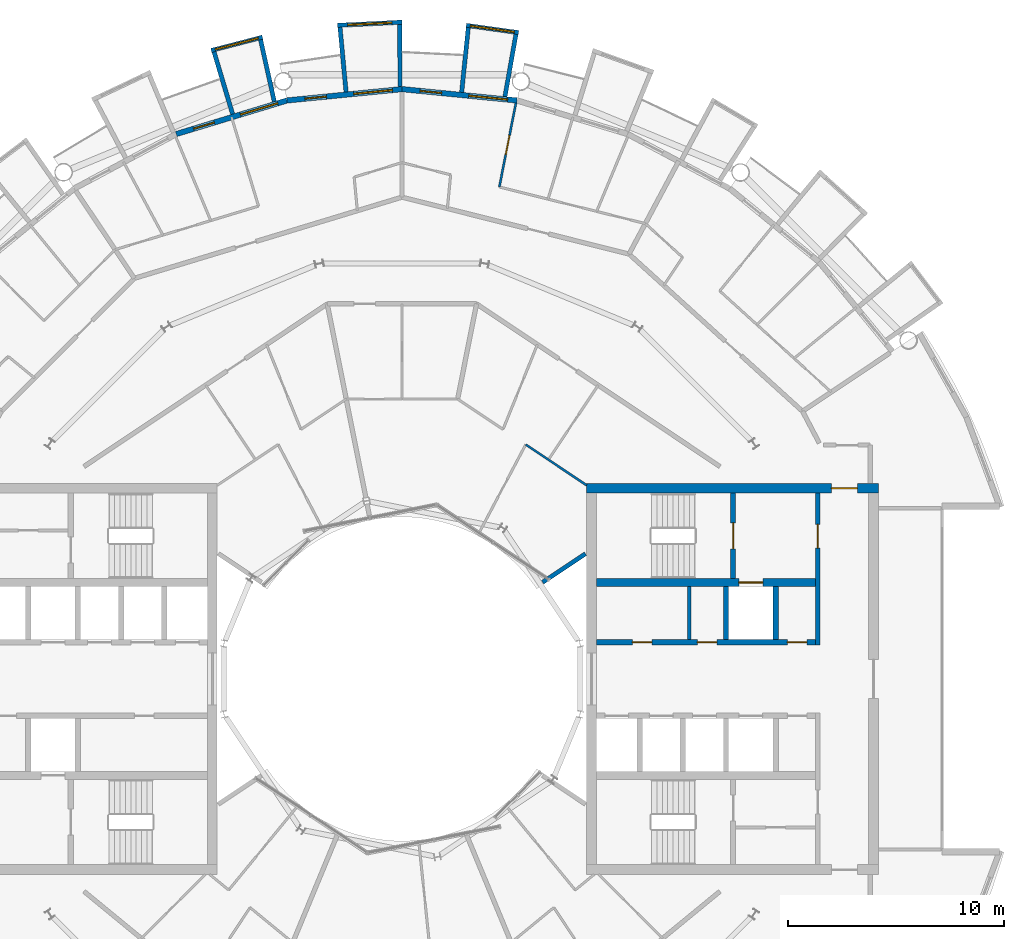
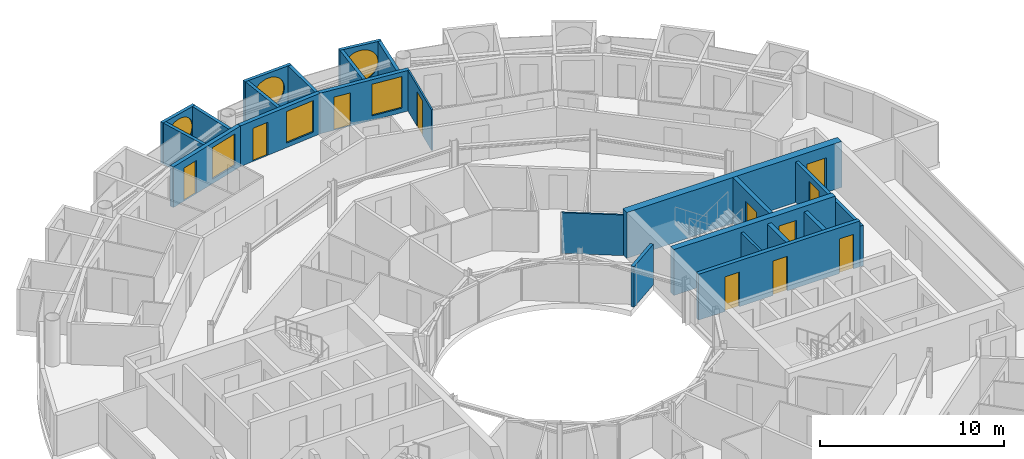
# One storey, part 22 of 27: 23 walls, 11 doors, 6 windows, 17 openings.
"""IFC4 building model written with IfcOpenShell, lengths in metres."""

import ifcopenshell
import ifcopenshell.guid

model = None  # the IFC model being written
_history = None  # IfcOwnerHistory: only IFC2X3 demands one
_inside = {}  # id of a spatial element -> (the spatial element, [elements in it])
_under = {}  # id of a project, library or spatial element -> (it, [spatial elements below it])
_declared = {}  # id of a project -> (the project, [libraries it declares])
_typed = {}  # id of a type object -> (the type object, [elements of that type])
_made_of = {}  # id of a material, layer set ... -> (it, [elements and type objects made of it])


def new_model(schema):
    """Start an empty IFC model of exactly this schema.

    Asked for "IFC4X3", IfcOpenShell would pick the latest addendum, in which some entities
    have other attributes; the version numbers below select the first issue.
    IFC2X3 requires an IfcOwnerHistory on every rooted entity: one is made here for all.
    """
    global model, _history
    if schema == "IFC4X3":
        model = ifcopenshell.file(schema_version=(4, 3, 0, 0))
    else:
        model = ifcopenshell.file(schema=schema)
    _inside.clear()
    _under.clear()
    _declared.clear()
    _typed.clear()
    _made_of.clear()
    _history = None
    if model.schema == "IFC2X3":
        org = make("IfcOrganization", Name="unknown")
        user = make(
            "IfcPersonAndOrganization",
            ThePerson=make("IfcPerson", FamilyName="unknown"),
            TheOrganization=org,
        )
        app = make(
            "IfcApplication",
            ApplicationDeveloper=org,
            Version="unknown",
            ApplicationFullName="unknown",
            ApplicationIdentifier="unknown",
        )
        _history = make(
            "IfcOwnerHistory",
            OwningUser=user,
            OwningApplication=app,
            ChangeAction="ADDED",
            CreationDate=0,
        )
    return model


def make(cls, **values):
    """One entity of the class cls with the attributes given. An attribute that is None is left unset."""
    return model.create_entity(
        cls, **{name: value for name, value in values.items() if value is not None}
    )


def rooted(cls, **values):
    """An entity with a GlobalId (a new one), such as an element, a storey or a relation."""
    return make(cls, GlobalId=ifcopenshell.guid.new(), OwnerHistory=_history, **values)


def si_unit(unit_type, name, prefix=None):
    """IfcSIUnit, for example si_unit("LENGTHUNIT", "METRE", prefix="MILLI")."""
    return make("IfcSIUnit", UnitType=unit_type, Prefix=prefix, Name=name)


def assignment(units):
    """IfcUnitAssignment: the units of a project."""
    return None if units is None else make("IfcUnitAssignment", Units=units)


def point(xyz):
    """IfcCartesianPoint."""
    return None if xyz is None else make("IfcCartesianPoint", Coordinates=xyz)


def direction(xyz):
    """IfcDirection."""
    return None if xyz is None else make("IfcDirection", DirectionRatios=xyz)


def frame(location, z_axis=None, x_axis=None):
    """IfcAxis2Placement3D, a coordinate frame: its origin and axes. An axis left out is left unset."""
    return make(
        "IfcAxis2Placement3D",
        Location=point(location),
        Axis=direction(z_axis),
        RefDirection=direction(x_axis),
    )


def frame_2d(location, x_axis=None):
    """IfcAxis2Placement2D, a coordinate frame in the plane: its origin and x axis."""
    return make(
        "IfcAxis2Placement2D", Location=point(location), RefDirection=direction(x_axis)
    )


def origin():
    """The frame at (0, 0, 0) with its axes left unset."""
    return frame((0.0, 0.0, 0.0))


def place(relative_to, where):
    """IfcLocalPlacement: puts the frame where relative to a parent placement (None: the world)."""
    return make(
        "IfcLocalPlacement", PlacementRelTo=relative_to, RelativePlacement=where
    )


def context(
    kind, dimensions, precision=None, world=None, true_north=None, identifier=None
):
    """IfcGeometricRepresentationContext, for example the 3D "Model" context."""
    return make(
        "IfcGeometricRepresentationContext",
        ContextIdentifier=identifier,
        ContextType=kind,
        CoordinateSpaceDimension=dimensions,
        Precision=precision,
        WorldCoordinateSystem=world,
        TrueNorth=true_north,
    )


def subcontext(parent, identifier, kind, view, scale=None):
    """IfcGeometricRepresentationSubContext, for example "Body" below "Model"."""
    return make(
        "IfcGeometricRepresentationSubContext",
        ContextIdentifier=identifier,
        ContextType=kind,
        ParentContext=parent,
        TargetScale=scale,
        TargetView=view,
    )


def project(units=None, contexts=None):
    """IfcProject with its units and contexts."""
    return rooted(
        "IfcProject",
        Name="project",
        RepresentationContexts=contexts,
        UnitsInContext=assignment(units),
    )


def spatial(cls, under=None, at=None, **own):
    """A site, building, storey or space (cls), placed at a placement, below another one or the project."""
    s = rooted(cls, ObjectPlacement=at, **own)
    if under is not None:
        _under.setdefault(under.id(), (under, []))[1].append(s)
    return s


def profile(cls, at=None, kind="AREA", **sizes):
    """A parametric profile (cls). Its sizes go by their IFC names, for example OverallWidth=200.0."""
    return make(cls, ProfileType=kind, Position=at, **sizes)


def rectangle(**sizes):
    """IfcRectangleProfileDef."""
    return profile("IfcRectangleProfileDef", **sizes)


def circle(**sizes):
    """IfcCircleProfileDef."""
    return profile("IfcCircleProfileDef", **sizes)


def extrude(swept, where, along, depth):
    """IfcExtrudedAreaSolid: the profile swept, set in the frame where, extruded along a direction by depth."""
    return make(
        "IfcExtrudedAreaSolid",
        SweptArea=swept,
        Position=where,
        ExtrudedDirection=direction(along),
        Depth=depth,
    )


def shape(context_of_items, identifier, shape_type, items):
    """IfcShapeRepresentation: the items that make up one representation, for example the "Body"."""
    return make(
        "IfcShapeRepresentation",
        ContextOfItems=context_of_items,
        RepresentationIdentifier=identifier,
        RepresentationType=shape_type,
        Items=items,
    )


def material(Name=None, Category=None):
    """IfcMaterial."""
    return make("IfcMaterial", Name=Name, Category=Category)


def layer(
    of_material, thickness, ventilated=None, Name=None, Category=None, Priority=None
):
    """IfcMaterialLayer: one layer of a wall or slab, of a material (None: an air gap)."""
    return make(
        "IfcMaterialLayer",
        Material=of_material,
        LayerThickness=thickness,
        IsVentilated=ventilated,
        Name=Name,
        Category=Category,
        Priority=Priority,
    )


def layer_set(layers, Name=None):
    """IfcMaterialLayerSet."""
    return make("IfcMaterialLayerSet", MaterialLayers=layers, LayerSetName=Name)


def made_of(thing, what):
    """Note that an element or type object is made of a material, layer set ...; save() writes the relation."""
    if what is not None:
        _made_of.setdefault(what.id(), (what, []))[1].append(thing)
    return thing


def type_object(cls, material=None, **own):
    """A type object (cls), such as IfcWallType, which elements share."""
    return made_of(rooted(cls, **own), material)


def element(
    cls,
    number,
    at=None,
    inside=None,
    cuts=None,
    type_object=None,
    material=None,
    context=None,
    identifier="Body",
    shape_type=None,
    held_by="IfcProductDefinitionShape",
    body=None,
    shapes=None,
    **own,
):
    """One element of the class cls, such as IfcWall. Its Tag is "e" and its number.

    at: its placement. inside: the storey or other place that contains it. cuts: it is an
    opening in that element (IfcRelVoidsElement). A single representation is given by context,
    identifier, shape_type and body (its items); several are given by shapes. held_by: the class
    of the entity that holds the representations. save() writes the other relations.
    """
    e = rooted(cls, Tag="e%d" % number, ObjectPlacement=at, **own)
    if body is not None:
        shapes = [shape(context, identifier, shape_type, body)]
    if shapes is not None:
        e.Representation = make(held_by, Representations=shapes)
    if inside is not None:
        _inside.setdefault(inside.id(), (inside, []))[1].append(e)
    if cuts is not None:
        rooted(
            "IfcRelVoidsElement", RelatingBuildingElement=cuts, RelatedOpeningElement=e
        )
    if type_object is not None:
        _typed.setdefault(type_object.id(), (type_object, []))[1].append(e)
    return made_of(e, material)


def fill(opening, filler):
    """IfcRelFillsElement: the door or window that sits in an opening."""
    return rooted(
        "IfcRelFillsElement",
        RelatingOpeningElement=opening,
        RelatedBuildingElement=filler,
    )


def aggregate(whole, parts):
    """IfcRelAggregates: a whole, such as a stair, and the parts it consists of."""
    return rooted("IfcRelAggregates", RelatingObject=whole, RelatedObjects=parts)


def save(model, path):
    """Write the relations noted so far, then the file.

    IfcRelAggregates (storeys below a building ...), IfcRelContainedInSpatialStructure (elements
    in a storey), IfcRelDefinesByType, IfcRelAssociatesMaterial and IfcRelDeclares: one each for
    every whole, place, type object, material and project.
    """
    for whole, parts in _under.values():
        aggregate(whole, parts)
    for where, things in _inside.values():
        rooted(
            "IfcRelContainedInSpatialStructure",
            RelatedElements=things,
            RelatingStructure=where,
        )
    for kind, things in _typed.values():
        rooted("IfcRelDefinesByType", RelatedObjects=things, RelatingType=kind)
    for what, things in _made_of.values():
        rooted("IfcRelAssociatesMaterial", RelatedObjects=things, RelatingMaterial=what)
    for by, libraries in _declared.values():
        rooted("IfcRelDeclares", RelatingContext=by, RelatedDefinitions=libraries)
    model.write(path)


model = new_model("IFC4")

# Units and contexts
model_context = context("Model", 3, precision=1e-05, world=origin(), true_north=direction((0.0, 1.0)))
body_context = subcontext(model_context, "Body", "Model", "MODEL_VIEW")
ifc_project = project(units=[si_unit("LENGTHUNIT", "METRE"), si_unit("AREAUNIT", "SQUARE_METRE"), si_unit("VOLUMEUNIT", "CUBIC_METRE"), si_unit("PLANEANGLEUNIT", "RADIAN"), si_unit("MASSUNIT", "GRAM", prefix="KILO")], contexts=[model_context])

# Site, building, storey
site_placement = place(None, origin())
site = spatial("IfcSite", under=ifc_project, at=site_placement, CompositionType="ELEMENT")
building_placement = place(site_placement, origin())
building = spatial("IfcBuilding", under=site, at=building_placement, Name="Maasbend Ring Residences", CompositionType="ELEMENT")
storey_placement = place(building_placement, frame((0.0, 0.0, 199.35009765625)))
storey = spatial("IfcBuildingStorey", under=building, at=storey_placement, Name="L57", CompositionType="ELEMENT", Elevation=199.35009765625)

# Wall, openings, doors
ifc_material_1 = material(Name="Concrete C50/60", Category="concrete")
ifc_layer_1 = layer(ifc_material_1, 0.25)
ifc_layer_set_1 = layer_set([ifc_layer_1], Name="Concrete C50/60")
wall_type_1 = type_object("IfcWallType", Name="CORE WALL 250 C50/60", PredefinedType="SHEAR", material=ifc_layer_set_1)
wall_1_placement = place(storey_placement, frame((9.0, 1.699951171875, 0.0), z_axis=(0.0, 0.0, 1.0), x_axis=(1.0, 0.0, 0.0)))
wall_1 = element("IfcWall", 1, at=wall_1_placement, inside=storey, type_object=wall_type_1, Name="L57 core E wall SPN", PredefinedType="SHEAR", context=body_context, shape_type="SweptSolid", body=[
    extrude(rectangle(XDim=10.14990234375, YDim=0.25, at=frame_2d((5.074951171875, 0.0))), origin(), (0.0, 0.0, 1.0), 3.0498046875),
])
opening_1_placement = place(wall_1_placement, frame((1.66259765625, 0.0, 0.0)))
opening_1 = element("IfcOpeningElement", 2, at=opening_1_placement, cuts=wall_1, Name="Opening D-E5706", PredefinedType="OPENING", context=body_context, shape_type="SweptSolid", body=[
    extrude(rectangle(XDim=0.89990234375, YDim=2.300048828125, at=frame_2d((0.449951171875, 1.14990234375))), frame((0.0, 0.135009765625, 0.0), z_axis=(0.0, -1.0, 0.0), x_axis=(1.0, 0.0, 0.0)), (0.0, 0.0, 1.0), 0.27001953125),
])
opening_2_placement = place(wall_1_placement, frame((4.675048828125, 0.0, 0.0)))
opening_2 = element("IfcOpeningElement", 3, at=opening_2_placement, cuts=wall_1, Name="Opening D-E5707", PredefinedType="OPENING", context=body_context, shape_type="SweptSolid", body=[
    extrude(rectangle(XDim=0.89990234375, YDim=2.300048828125, at=frame_2d((0.449951171875, 1.14990234375))), frame((0.0, 0.135009765625, 0.0), z_axis=(0.0, -1.0, 0.0), x_axis=(1.0, 0.0, 0.0)), (0.0, 0.0, 1.0), 0.27001953125),
])
opening_3_placement = place(wall_1_placement, frame((8.83740234375, 0.0, 0.0)))
opening_3 = element("IfcOpeningElement", 4, at=opening_3_placement, cuts=wall_1, Name="Opening D-E5708", PredefinedType="OPENING", context=body_context, shape_type="SweptSolid", body=[
    extrude(rectangle(XDim=0.89990234375, YDim=2.300048828125, at=frame_2d((0.449951171875, 1.14990234375))), frame((0.0, 0.135009765625, 0.0), z_axis=(0.0, -1.0, 0.0), x_axis=(1.0, 0.0, 0.0)), (0.0, 0.0, 1.0), 0.27001953125),
])
ifc_material_2 = material(Name="Steel, powder coated", Category="steel")
door_type_1 = type_object("IfcDoorType", Name="ROOM DOOR 900 X 2300 FD30S", OperationType="NOTDEFINED", PredefinedType="DOOR", material=ifc_material_2)
door_1_placement = place(opening_1_placement, origin())
door_1 = element("IfcDoor", 5, at=door_1_placement, inside=storey, type_object=door_type_1, Name="Room door L57", OperationType="SINGLE_SWING_RIGHT", OverallHeight=2.300048828125, OverallWidth=0.89990234375, PredefinedType="DOOR", context=body_context, shape_type="SweptSolid", body=[
    extrude(rectangle(XDim=0.89990234375, YDim=2.300048828125, at=frame_2d((0.449951171875, 1.14990234375))), frame((0.0, 0.02490234375, 0.0), z_axis=(0.0, -1.0, 0.0), x_axis=(1.0, 0.0, 0.0)), (0.0, 0.0, 1.0), 0.050048828125),
])
fill(opening_1, door_1)
door_2_placement = place(opening_2_placement, origin())
door_2 = element("IfcDoor", 6, at=door_2_placement, inside=storey, type_object=door_type_1, Name="Room door L57", OperationType="SINGLE_SWING_LEFT", OverallHeight=2.300048828125, OverallWidth=0.89990234375, PredefinedType="DOOR", context=body_context, shape_type="SweptSolid", body=[
    extrude(rectangle(XDim=0.89990234375, YDim=2.300048828125, at=frame_2d((0.449951171875, 1.14990234375))), frame((0.0, 0.02490234375, 0.0), z_axis=(0.0, -1.0, 0.0), x_axis=(1.0, 0.0, 0.0)), (0.0, 0.0, 1.0), 0.050048828125),
])
fill(opening_2, door_2)
door_3_placement = place(opening_3_placement, origin())
door_3 = element("IfcDoor", 7, at=door_3_placement, inside=storey, type_object=door_type_1, Name="Room door L57", OperationType="SINGLE_SWING_LEFT", OverallHeight=2.300048828125, OverallWidth=0.89990234375, PredefinedType="DOOR", context=body_context, shape_type="SweptSolid", body=[
    extrude(rectangle(XDim=0.89990234375, YDim=2.300048828125, at=frame_2d((0.449951171875, 1.14990234375))), frame((0.0, 0.02490234375, 0.0), z_axis=(0.0, -1.0, 0.0), x_axis=(1.0, 0.0, 0.0)), (0.0, 0.0, 1.0), 0.050048828125),
])
fill(opening_3, door_3)

# Wall, opening, door
wall_2_placement = place(storey_placement, frame((15.324951171875, 4.64990234375, 0.0), z_axis=(0.0, 0.0, 1.0), x_axis=(0.0, 1.0, 0.0)))
wall_2 = element("IfcWall", 8, at=wall_2_placement, inside=storey, type_object=wall_type_1, Name="L57 core E wall STEN", PredefinedType="SHEAR", context=body_context, shape_type="SweptSolid", body=[
    extrude(rectangle(XDim=3.9501953125, YDim=0.25, at=frame_2d((1.97509765625, 0.0))), origin(), (0.0, 0.0, 1.0), 3.0498046875),
])
opening_4_placement = place(wall_2_placement, frame((1.375, 0.0, 0.0)))
opening_4 = element("IfcOpeningElement", 9, at=opening_4_placement, cuts=wall_2, Name="Opening D-E5711", PredefinedType="OPENING", context=body_context, shape_type="SweptSolid", body=[
    extrude(rectangle(XDim=1.199951171875, YDim=2.300048828125, at=frame_2d((0.60009765625, 1.14990234375))), frame((0.0, 0.135009765625, 0.0), z_axis=(0.0, -1.0, 0.0), x_axis=(1.0, 0.0, 0.0)), (0.0, 0.0, 1.0), 0.27001953125),
])
ifc_material_3 = material(Name="Steel, powder coated", Category="steel")
door_type_2 = type_object("IfcDoorType", Name="STAIR DOOR 1200 X 2300 FD60", OperationType="NOTDEFINED", PredefinedType="DOOR", material=ifc_material_3)
door_4_placement = place(opening_4_placement, origin())
door_4 = element("IfcDoor", 10, at=door_4_placement, inside=storey, type_object=door_type_2, Name="Stair door ST-E L57", OperationType="SINGLE_SWING_LEFT", OverallHeight=2.300048828125, OverallWidth=1.199951171875, PredefinedType="DOOR", context=body_context, shape_type="SweptSolid", body=[
    extrude(rectangle(XDim=1.199951171875, YDim=2.300048828125, at=frame_2d((0.60009765625, 1.14990234375))), frame((0.0, 0.02490234375, 0.0), z_axis=(0.0, -1.0, 0.0), x_axis=(1.0, 0.0, 0.0)), (0.0, 0.0, 1.0), 0.050048828125),
])
fill(opening_4, door_4)

ifc_material_4 = material(Name="Concrete C50/60", Category="concrete")
ifc_layer_2 = layer(ifc_material_4, 0.375)
ifc_layer_set_2 = layer_set([ifc_layer_2], Name="Concrete C50/60")
wall_type_2 = type_object("IfcWallType", Name="CORE WALL 375 C50/60", PredefinedType="SHEAR", material=ifc_layer_set_2)
wall_3_placement = place(storey_placement, frame((9.0, 4.46240234375, 0.0), z_axis=(0.0, 0.0, 1.0), x_axis=(1.0, 0.0, 0.0)))
wall_3 = element("IfcWall", 11, at=wall_3_placement, inside=storey, type_object=wall_type_2, Name="L57 core E wall BN", PredefinedType="SHEAR", context=body_context, shape_type="SweptSolid", body=[
    extrude(rectangle(XDim=10.14990234375, YDim=0.375, at=frame_2d((5.074951171875, 0.0))), origin(), (0.0, 0.0, 1.0), 3.0498046875),
])
opening_5_placement = place(wall_3_placement, frame((6.60009765625, 0.0, 0.0)))
opening_5 = element("IfcOpeningElement", 12, at=opening_5_placement, cuts=wall_3, Name="Opening LD-E5701", PredefinedType="OPENING", context=body_context, shape_type="SweptSolid", body=[
    extrude(rectangle(XDim=1.10009765625, YDim=2.300048828125, at=frame_2d((0.550048828125, 1.14990234375))), frame((0.0, 0.197509765625, 0.0), z_axis=(0.0, -1.0, 0.0), x_axis=(1.0, 0.0, 0.0)), (0.0, 0.0, 1.0), 0.39501953125),
])
ifc_material_5 = material(Name="Stainless steel 316", Category="steel")
door_type_3 = type_object("IfcDoorType", Name="LANDING DOOR 1100 X 2300 FD60", OperationType="DOUBLE_DOOR_SLIDING", PredefinedType="DOOR", material=ifc_material_5)
door_5_placement = place(opening_5_placement, origin())
door_5 = element("IfcDoor", 13, at=door_5_placement, inside=storey, type_object=door_type_3, Name="Landing door FF-E L57", OperationType="DOUBLE_DOOR_SLIDING", OverallHeight=2.300048828125, OverallWidth=1.10009765625, PredefinedType="DOOR", context=body_context, shape_type="SweptSolid", body=[
    extrude(rectangle(XDim=1.10009765625, YDim=2.300048828125, at=frame_2d((0.550048828125, 1.14990234375))), frame((0.0, 0.02490234375, 0.0), z_axis=(0.0, -1.0, 0.0), x_axis=(1.0, 0.0, 0.0)), (0.0, 0.0, 1.0), 0.050048828125),
])
fill(opening_5, door_5)

ifc_material_6 = material(Name="Concrete C50/60", Category="concrete")
ifc_layer_3 = layer(ifc_material_6, 0.449951171875)
ifc_layer_set_3 = layer_set([ifc_layer_3], Name="Concrete C50/60")
wall_type_3 = type_object("IfcWallType", Name="CORE WALL 450 C50/60", PredefinedType="SHEAR", material=ifc_layer_set_3)
wall_4_placement = place(storey_placement, frame((22.050048828125, 8.824951171875, 0.0), z_axis=(0.0, 0.0, 1.0), x_axis=(-1.0, 0.0, 0.0)))
wall_4 = element("IfcWall", 14, at=wall_4_placement, inside=storey, type_object=wall_type_3, Name="L57 core E wall PN", PredefinedType="SHEAR", context=body_context, shape_type="SweptSolid", body=[
    extrude(rectangle(XDim=13.5, YDim=0.449951171875, at=frame_2d((6.75, 0.0))), origin(), (0.0, 0.0, 1.0), 3.0498046875),
])
opening_6_placement = place(wall_4_placement, frame((0.97509765625, 0.0, 0.0)))
opening_6 = element("IfcOpeningElement", 15, at=opening_6_placement, cuts=wall_4, Name="Opening D-E5715", PredefinedType="OPENING", context=body_context, shape_type="SweptSolid", body=[
    extrude(rectangle(XDim=1.199951171875, YDim=2.300048828125, at=frame_2d((0.60009765625, 1.14990234375))), frame((0.0, 0.23486328125, 0.0), z_axis=(0.0, -1.0, 0.0), x_axis=(1.0, 0.0, 0.0)), (0.0, 0.0, 1.0), 0.469970703125),
])
ifc_material_7 = material(Name="Steel, powder coated", Category="steel")
door_type_4 = type_object("IfcDoorType", Name="CORRIDOR DOOR 1200 X 2300 FD30S", OperationType="NOTDEFINED", PredefinedType="DOOR", material=ifc_material_7)
door_6_placement = place(opening_6_placement, origin())
door_6 = element("IfcDoor", 16, at=door_6_placement, inside=storey, type_object=door_type_4, Name="Corridor door L57", OperationType="SINGLE_SWING_RIGHT", OverallHeight=2.300048828125, OverallWidth=1.199951171875, PredefinedType="DOOR", context=body_context, shape_type="SweptSolid", body=[
    extrude(rectangle(XDim=1.199951171875, YDim=2.300048828125, at=frame_2d((0.60009765625, 1.14990234375))), frame((0.0, 0.02490234375, 0.0), z_axis=(0.0, -1.0, 0.0), x_axis=(1.0, 0.0, 0.0)), (0.0, 0.0, 1.0), 0.050048828125),
])
fill(opening_6, door_6)

# Wall, opening, window
ifc_material_8 = material(Name="Pale anodised aluminium panel", Category="aluminium")
ifc_layer_4 = layer(ifc_material_8, 0.199951171875)
ifc_layer_set_4 = layer_set([ifc_layer_4], Name="EW-BOX")
wall_type_4 = type_object("IfcWallType", Name="EW-BOX", PredefinedType="SOLIDWALL", material=ifc_layer_set_4)
wall_5_placement = place(storey_placement, frame((5.39794921875, 29.9169921875, -0.030029296875), z_axis=(0.0, 0.0, 1.0), x_axis=(-0.990462016113, 0.137786046596, 0.0)))
wall_5 = element("IfcWall", 17, at=wall_5_placement, inside=storey, type_object=wall_type_4, Name="Box front N09", PredefinedType="SOLIDWALL", context=body_context, shape_type="SweptSolid", body=[
    extrude(rectangle(XDim=2.4453125, YDim=0.199951171875, at=frame_2d((1.22265625, 0.0))), origin(), (0.0, 0.0, 1.0), 2.72998046875),
])
opening_7_placement = place(wall_5_placement, frame((0.182861328125, 0.0, 0.330078125)))
opening_7 = element("IfcOpeningElement", 18, at=opening_7_placement, cuts=wall_5, Name="Opening W-RD", PredefinedType="OPENING", context=body_context, shape_type="SweptSolid", body=[
    extrude(circle(Radius=1.0400390625, at=frame_2d((1.0400390625, 1.0400390625))), frame((0.0, 0.10986328125, 0.0), z_axis=(0.0, -1.0, 0.0), x_axis=(1.0, 0.0, 0.0)), (0.0, 0.0, 1.0), 0.219970703125),
])
ifc_material_9 = material(Name="Aluminium and clear glass", Category="aluminium")
window_type_1 = type_object("IfcWindowType", Name="W-RD", PartitioningType="SINGLE_PANEL", PredefinedType="WINDOW", material=ifc_material_9)
window_1_placement = place(opening_7_placement, origin())
window_1 = element("IfcWindow", 19, at=window_1_placement, inside=storey, type_object=window_type_1, Name="Round window N09", OverallHeight=2.080078125, OverallWidth=2.080078125, PartitioningType="SINGLE_PANEL", PredefinedType="WINDOW", context=body_context, shape_type="SweptSolid", body=[
    extrude(circle(Radius=1.0400390625, at=frame_2d((1.0400390625, 1.0400390625))), frame((0.0, 0.030029296875, 0.0), z_axis=(0.0, -1.0, 0.0), x_axis=(1.0, 0.0, 0.0)), (0.0, 0.0, 1.0), 0.06005859375),
])
fill(opening_7, window_1)

# Walls
wall_6_placement = place(storey_placement, frame((4.76904296875, 26.9560546875, -0.030029296875), z_axis=(0.0, 0.0, 1.0), x_axis=(0.174056778901, 0.984735618183, 0.0)))
element("IfcWall", 20, at=wall_6_placement, inside=storey, type_object=wall_type_4, Name="Box side wall N09 left", PredefinedType="SOLIDWALL", context=body_context, shape_type="SweptSolid", body=[
    extrude(rectangle(XDim=2.924560546875, YDim=0.199951171875, at=frame_2d((1.46240234375, 0.0))), origin(), (0.0, 0.0, 1.0), 2.72998046875),
])
wall_7_placement = place(storey_placement, frame((2.763916015625, 27.153076171875, -0.030029296875), z_axis=(0.0, 0.0, 1.0), x_axis=(0.101505487237, 0.994834979311, 0.0)))
element("IfcWall", 21, at=wall_7_placement, inside=storey, type_object=wall_type_4, Name="Box side wall N09 right", PredefinedType="SOLIDWALL", context=body_context, shape_type="SweptSolid", body=[
    extrude(rectangle(XDim=3.006591796875, YDim=0.199951171875, at=frame_2d((1.50341796875, 0.0))), origin(), (0.0, 0.0, 1.0), 2.72998046875),
])

# Wall, opening, window
wall_8_placement = place(storey_placement, frame((0.0048828125, 30.39990234375, -0.030029296875), z_axis=(0.0, 0.0, 1.0), x_axis=(-0.998794083011, -0.049095618353, 0.0)))
wall_8 = element("IfcWall", 22, at=wall_8_placement, inside=storey, type_object=wall_type_4, Name="Box front N11", PredefinedType="SOLIDWALL", context=body_context, shape_type="SweptSolid", body=[
    extrude(rectangle(XDim=2.99365234375, YDim=0.199951171875, at=frame_2d((1.496826171875, 0.0))), origin(), (0.0, 0.0, 1.0), 2.72998046875),
])
opening_8_placement = place(wall_8_placement, frame((0.45654296875, 0.0, 0.330078125)))
opening_8 = element("IfcOpeningElement", 23, at=opening_8_placement, cuts=wall_8, Name="Opening W-RD", PredefinedType="OPENING", context=body_context, shape_type="SweptSolid", body=[
    extrude(circle(Radius=1.0400390625, at=frame_2d((1.0400390625, 1.0400390625))), frame((0.0, 0.10986328125, 0.0), z_axis=(0.0, -1.0, 0.0), x_axis=(1.0, 0.0, 0.0)), (0.0, 0.0, 1.0), 0.219970703125),
])
window_2_placement = place(opening_8_placement, origin())
window_2 = element("IfcWindow", 24, at=window_2_placement, inside=storey, type_object=window_type_1, Name="Round window N11", OverallHeight=2.080078125, OverallWidth=2.080078125, PartitioningType="SINGLE_PANEL", PredefinedType="WINDOW", context=body_context, shape_type="SweptSolid", body=[
    extrude(circle(Radius=1.0400390625, at=frame_2d((1.0400390625, 1.0400390625))), frame((0.0, 0.030029296875, 0.0), z_axis=(0.0, -1.0, 0.0), x_axis=(1.0, 0.0, 0.0)), (0.0, 0.0, 1.0), 0.06005859375),
])
fill(opening_8, window_2)

# Walls
wall_9_placement = place(storey_placement, frame((-0.090087890625, 27.4169921875, -0.030029296875), z_axis=(0.0, 0.0, 1.0), x_axis=(-0.00347308367, 0.999993968827, 0.0)))
element("IfcWall", 25, at=wall_9_placement, inside=storey, type_object=wall_type_4, Name="Box side wall N11 left", PredefinedType="SOLIDWALL", context=body_context, shape_type="SweptSolid", body=[
    extrude(rectangle(XDim=2.882080078125, YDim=0.199951171875, at=frame_2d((1.44091796875, 0.0))), origin(), (0.0, 0.0, 1.0), 2.72998046875),
])
wall_10_placement = place(storey_placement, frame((-2.5859375, 27.1708984375, -0.030029296875), z_axis=(0.0, 0.0, 1.0), x_axis=(-0.094548432284, 0.995520262954, 0.0)))
element("IfcWall", 26, at=wall_10_placement, inside=storey, type_object=wall_type_4, Name="Box side wall N11 right", PredefinedType="SOLIDWALL", context=body_context, shape_type="SweptSolid", body=[
    extrude(rectangle(XDim=3.005615234375, YDim=0.199951171875, at=frame_2d((1.5029296875, 0.0))), origin(), (0.0, 0.0, 1.0), 2.72998046875),
])

# Wall, opening, window
wall_11_placement = place(storey_placement, frame((-6.4609375, 29.705078125, -0.030029296875), z_axis=(0.0, 0.0, 1.0), x_axis=(-0.96789536872, -0.251353446784, 0.0)))
wall_11 = element("IfcWall", 27, at=wall_11_placement, inside=storey, type_object=wall_type_4, Name="Box front N13", PredefinedType="SOLIDWALL", context=body_context, shape_type="SweptSolid", body=[
    extrude(rectangle(XDim=2.44677734375, YDim=0.199951171875, at=frame_2d((1.223388671875, 0.0))), origin(), (0.0, 0.0, 1.0), 2.72998046875),
])
opening_9_placement = place(wall_11_placement, frame((0.182861328125, 0.0, 0.330078125)))
opening_9 = element("IfcOpeningElement", 28, at=opening_9_placement, cuts=wall_11, Name="Opening W-RD", PredefinedType="OPENING", context=body_context, shape_type="SweptSolid", body=[
    extrude(circle(Radius=1.0400390625, at=frame_2d((1.0400390625, 1.0400390625))), frame((0.0, 0.10986328125, 0.0), z_axis=(0.0, -1.0, 0.0), x_axis=(1.0, 0.0, 0.0)), (0.0, 0.0, 1.0), 0.219970703125),
])
window_3_placement = place(opening_9_placement, origin())
window_3 = element("IfcWindow", 29, at=window_3_placement, inside=storey, type_object=window_type_1, Name="Round window N13", OverallHeight=2.080078125, OverallWidth=2.080078125, PartitioningType="SINGLE_PANEL", PredefinedType="WINDOW", context=body_context, shape_type="SweptSolid", body=[
    extrude(circle(Radius=1.0400390625, at=frame_2d((1.0400390625, 1.0400390625))), frame((0.0, 0.030029296875, 0.0), z_axis=(0.0, -1.0, 0.0), x_axis=(1.0, 0.0, 0.0)), (0.0, 0.0, 1.0), 0.06005859375),
])
fill(opening_9, window_3)

# Walls
wall_12_placement = place(storey_placement, frame((-5.908935546875, 26.72900390625, -0.030029296875), z_axis=(0.0, 0.0, 1.0), x_axis=(-0.216409053917, 0.976302781612, 0.0)))
element("IfcWall", 30, at=wall_12_placement, inside=storey, type_object=wall_type_4, Name="Box side wall N13 left", PredefinedType="SOLIDWALL", context=body_context, shape_type="SweptSolid", body=[
    extrude(rectangle(XDim=2.92529296875, YDim=0.199951171875, at=frame_2d((1.462646484375, 0.0))), origin(), (0.0, 0.0, 1.0), 2.72998046875),
])
wall_13_placement = place(storey_placement, frame((-7.8369140625, 26.14404296875, -0.030029296875), z_axis=(0.0, 0.0, 1.0), x_axis=(-0.287064767992, 0.957911174889, 0.0)))
element("IfcWall", 31, at=wall_13_placement, inside=storey, type_object=wall_type_4, Name="Box side wall N13 right", PredefinedType="SOLIDWALL", context=body_context, shape_type="SweptSolid", body=[
    extrude(rectangle(XDim=3.00634765625, YDim=0.199951171875, at=frame_2d((1.503173828125, 0.0))), origin(), (0.0, 0.0, 1.0), 2.72998046875),
])

# Wall, openings, door, window
ifc_material_10 = material(Name="Aluminium clad insulated panel", Category="aluminium")
ifc_layer_5 = layer(ifc_material_10, 0.25)
ifc_layer_set_5 = layer_set([ifc_layer_5], Name="EW-GL")
wall_type_5 = type_object("IfcWallType", Name="EW-GL", PredefinedType="SOLIDWALL", material=ifc_layer_set_5)
wall_14_placement = place(storey_placement, frame((5.325927734375, 26.77490234375, 0.0), z_axis=(0.0, 0.0, 1.0), x_axis=(-0.995173996315, 0.098126026407, 0.0)))
wall_14 = element("IfcWall", 32, at=wall_14_placement, inside=storey, type_object=wall_type_5, Name="External wall N05", PredefinedType="SOLIDWALL", context=body_context, shape_type="SweptSolid", body=[
    extrude(rectangle(XDim=5.351806640625, YDim=0.25, at=frame_2d((2.67578125, 0.0))), origin(), (0.0, 0.0, 1.0), 2.699951171875),
])
opening_10_placement = place(wall_14_placement, frame((0.441162109375, 0.0, 0.300048828125)))
opening_10 = element("IfcOpeningElement", 33, at=opening_10_placement, cuts=wall_14, Name="Opening W-BX", PredefinedType="OPENING", context=body_context, shape_type="SweptSolid", body=[
    extrude(rectangle(XDim=1.800048828125, YDim=2.10009765625, at=frame_2d((0.89990234375, 1.050048828125))), frame((0.0, 0.135009765625, 0.0), z_axis=(0.0, -1.0, 0.0), x_axis=(1.0, 0.0, 0.0)), (0.0, 0.0, 1.0), 0.27001953125),
])
opening_11_placement = place(wall_14_placement, frame((3.510498046875, 0.0, 0.0)))
opening_11 = element("IfcOpeningElement", 34, at=opening_11_placement, cuts=wall_14, Name="Opening D-LG", PredefinedType="OPENING", context=body_context, shape_type="SweptSolid", body=[
    extrude(rectangle(XDim=1.0, YDim=2.199951171875, at=frame_2d((0.5, 1.10009765625))), frame((0.0, 0.135009765625, 0.0), z_axis=(0.0, -1.0, 0.0), x_axis=(1.0, 0.0, 0.0)), (0.0, 0.0, 1.0), 0.27001953125),
])
ifc_material_11 = material(Name="Aluminium and clear glass", Category="aluminium")
door_type_5 = type_object("IfcDoorType", Name="D-LG", OperationType="SINGLE_SWING_LEFT", PredefinedType="DOOR", material=ifc_material_11)
door_7_placement = place(opening_11_placement, origin())
door_7 = element("IfcDoor", 35, at=door_7_placement, inside=storey, type_object=door_type_5, Name="Loggia door N10", OperationType="SINGLE_SWING_LEFT", OverallHeight=2.199951171875, OverallWidth=1.0, PredefinedType="DOOR", context=body_context, shape_type="SweptSolid", body=[
    extrude(rectangle(XDim=1.0, YDim=2.199951171875, at=frame_2d((0.5, 1.10009765625))), frame((0.0, 0.02490234375, 0.0), z_axis=(0.0, -1.0, 0.0), x_axis=(1.0, 0.0, 0.0)), (0.0, 0.0, 1.0), 0.050048828125),
])
fill(opening_11, door_7)
ifc_material_12 = material(Name="Aluminium and clear glass", Category="aluminium")
window_type_2 = type_object("IfcWindowType", Name="W-BX", PartitioningType="DOUBLE_PANEL_VERTICAL", PredefinedType="WINDOW", material=ifc_material_12)
window_4_placement = place(opening_10_placement, origin())
window_4 = element("IfcWindow", 36, at=window_4_placement, inside=storey, type_object=window_type_2, Name="Window N09 room to box", OverallHeight=2.10009765625, OverallWidth=1.800048828125, PartitioningType="SINGLE_PANEL", PredefinedType="WINDOW", context=body_context, shape_type="SweptSolid", body=[
    extrude(rectangle(XDim=1.800048828125, YDim=2.10009765625, at=frame_2d((0.89990234375, 1.050048828125))), frame((0.0, 0.030029296875, 0.0), z_axis=(0.0, -1.0, 0.0), x_axis=(1.0, 0.0, 0.0)), (0.0, 0.0, 1.0), 0.06005859375),
])
fill(opening_10, window_4)

wall_15_placement = place(storey_placement, frame((0.0, 27.300048828125, 0.0), z_axis=(0.0, 0.0, 1.0), x_axis=(-0.995173996315, -0.098126026407, 0.0)))
wall_15 = element("IfcWall", 37, at=wall_15_placement, inside=storey, type_object=wall_type_5, Name="External wall N06", PredefinedType="SOLIDWALL", context=body_context, shape_type="SweptSolid", body=[
    extrude(rectangle(XDim=5.351806640625, YDim=0.25, at=frame_2d((2.67578125, 0.0))), origin(), (0.0, 0.0, 1.0), 2.699951171875),
])
opening_12_placement = place(wall_15_placement, frame((0.441162109375, 0.0, 0.300048828125)))
opening_12 = element("IfcOpeningElement", 38, at=opening_12_placement, cuts=wall_15, Name="Opening W-BX", PredefinedType="OPENING", context=body_context, shape_type="SweptSolid", body=[
    extrude(rectangle(XDim=1.800048828125, YDim=2.10009765625, at=frame_2d((0.89990234375, 1.050048828125))), frame((0.0, 0.135009765625, 0.0), z_axis=(0.0, -1.0, 0.0), x_axis=(1.0, 0.0, 0.0)), (0.0, 0.0, 1.0), 0.27001953125),
])
opening_13_placement = place(wall_15_placement, frame((3.510498046875, 0.0, 0.0)))
opening_13 = element("IfcOpeningElement", 39, at=opening_13_placement, cuts=wall_15, Name="Opening D-LG", PredefinedType="OPENING", context=body_context, shape_type="SweptSolid", body=[
    extrude(rectangle(XDim=1.0, YDim=2.199951171875, at=frame_2d((0.5, 1.10009765625))), frame((0.0, 0.135009765625, 0.0), z_axis=(0.0, -1.0, 0.0), x_axis=(1.0, 0.0, 0.0)), (0.0, 0.0, 1.0), 0.27001953125),
])
door_8_placement = place(opening_13_placement, origin())
door_8 = element("IfcDoor", 40, at=door_8_placement, inside=storey, type_object=door_type_5, Name="Loggia door N12", OperationType="SINGLE_SWING_LEFT", OverallHeight=2.199951171875, OverallWidth=1.0, PredefinedType="DOOR", context=body_context, shape_type="SweptSolid", body=[
    extrude(rectangle(XDim=1.0, YDim=2.199951171875, at=frame_2d((0.5, 1.10009765625))), frame((0.0, 0.02490234375, 0.0), z_axis=(0.0, -1.0, 0.0), x_axis=(1.0, 0.0, 0.0)), (0.0, 0.0, 1.0), 0.050048828125),
])
fill(opening_13, door_8)
window_5_placement = place(opening_12_placement, origin())
window_5 = element("IfcWindow", 41, at=window_5_placement, inside=storey, type_object=window_type_2, Name="Window N11 room to box", OverallHeight=2.10009765625, OverallWidth=1.800048828125, PartitioningType="SINGLE_PANEL", PredefinedType="WINDOW", context=body_context, shape_type="SweptSolid", body=[
    extrude(rectangle(XDim=1.800048828125, YDim=2.10009765625, at=frame_2d((0.89990234375, 1.050048828125))), frame((0.0, 0.030029296875, 0.0), z_axis=(0.0, -1.0, 0.0), x_axis=(1.0, 0.0, 0.0)), (0.0, 0.0, 1.0), 0.06005859375),
])
fill(opening_12, window_5)

wall_16_placement = place(storey_placement, frame((-5.325927734375, 26.77490234375, 0.0), z_axis=(0.0, 0.0, 1.0), x_axis=(-0.956965678721, -0.290201119486, 0.0)))
wall_16 = element("IfcWall", 42, at=wall_16_placement, inside=storey, type_object=wall_type_5, Name="External wall N07", PredefinedType="SOLIDWALL", context=body_context, shape_type="SweptSolid", body=[
    extrude(rectangle(XDim=5.351318359375, YDim=0.25, at=frame_2d((2.67578125, 0.0))), origin(), (0.0, 0.0, 1.0), 2.699951171875),
])
opening_14_placement = place(wall_16_placement, frame((0.441162109375, 0.0, 0.300048828125)))
opening_14 = element("IfcOpeningElement", 43, at=opening_14_placement, cuts=wall_16, Name="Opening W-BX", PredefinedType="OPENING", context=body_context, shape_type="SweptSolid", body=[
    extrude(rectangle(XDim=1.800048828125, YDim=2.10009765625, at=frame_2d((0.89990234375, 1.050048828125))), frame((0.0, 0.135009765625, 0.0), z_axis=(0.0, -1.0, 0.0), x_axis=(1.0, 0.0, 0.0)), (0.0, 0.0, 1.0), 0.27001953125),
])
opening_15_placement = place(wall_16_placement, frame((3.510498046875, 0.0, 0.0)))
opening_15 = element("IfcOpeningElement", 44, at=opening_15_placement, cuts=wall_16, Name="Opening D-LG", PredefinedType="OPENING", context=body_context, shape_type="SweptSolid", body=[
    extrude(rectangle(XDim=1.0, YDim=2.199951171875, at=frame_2d((0.5, 1.10009765625))), frame((0.0, 0.135009765625, 0.0), z_axis=(0.0, -1.0, 0.0), x_axis=(1.0, 0.0, 0.0)), (0.0, 0.0, 1.0), 0.27001953125),
])
door_9_placement = place(opening_15_placement, origin())
door_9 = element("IfcDoor", 45, at=door_9_placement, inside=storey, type_object=door_type_5, Name="Loggia door N14", OperationType="SINGLE_SWING_LEFT", OverallHeight=2.199951171875, OverallWidth=1.0, PredefinedType="DOOR", context=body_context, shape_type="SweptSolid", body=[
    extrude(rectangle(XDim=1.0, YDim=2.199951171875, at=frame_2d((0.5, 1.10009765625))), frame((0.0, 0.02490234375, 0.0), z_axis=(0.0, -1.0, 0.0), x_axis=(1.0, 0.0, 0.0)), (0.0, 0.0, 1.0), 0.050048828125),
])
fill(opening_15, door_9)
window_6_placement = place(opening_14_placement, origin())
window_6 = element("IfcWindow", 46, at=window_6_placement, inside=storey, type_object=window_type_2, Name="Window N13 room to box", OverallHeight=2.10009765625, OverallWidth=1.800048828125, PartitioningType="SINGLE_PANEL", PredefinedType="WINDOW", context=body_context, shape_type="SweptSolid", body=[
    extrude(rectangle(XDim=1.800048828125, YDim=2.10009765625, at=frame_2d((0.89990234375, 1.050048828125))), frame((0.0, 0.030029296875, 0.0), z_axis=(0.0, -1.0, 0.0), x_axis=(1.0, 0.0, 0.0)), (0.0, 0.0, 1.0), 0.06005859375),
])
fill(opening_14, window_6)

# Wall, opening, door
ifc_material_13 = material(Name="Gypsum board on steel studs", Category="steel")
ifc_layer_6 = layer(ifc_material_13, 0.10009765625)
ifc_layer_set_6 = layer_set([ifc_layer_6], Name="PARTITION 100 GYPSUM")
wall_type_6 = type_object("IfcWallType", Name="PARTITION 100 GYPSUM", PredefinedType="PARTITIONING", material=ifc_layer_set_6)
wall_17_placement = place(storey_placement, frame((4.507080078125, 22.77099609375, 0.0), z_axis=(0.0, 0.0, 1.0), x_axis=(0.194030211642, 0.980995554001, 0.0)))
wall_17 = element("IfcWall", 47, at=wall_17_placement, inside=storey, type_object=wall_type_6, Name="U-L57-w068", PredefinedType="PARTITIONING", context=body_context, shape_type="SweptSolid", body=[
    extrude(rectangle(XDim=3.962158203125, YDim=0.10009765625, at=frame_2d((1.98095703125, 0.0))), origin(), (0.0, 0.0, 1.0), 2.699951171875),
])
opening_16_placement = place(wall_17_placement, frame((1.531005859375, 0.0, 0.0)))
opening_16 = element("IfcOpeningElement", 48, at=opening_16_placement, cuts=wall_17, Name="Opening D-5708", PredefinedType="OPENING", context=body_context, shape_type="SweptSolid", body=[
    extrude(rectangle(XDim=0.89990234375, YDim=2.300048828125, at=frame_2d((0.449951171875, 1.14990234375))), frame((0.0, 0.06005859375, 0.0), z_axis=(0.0, -1.0, 0.0), x_axis=(1.0, 0.0, 0.0)), (0.0, 0.0, 1.0), 0.1201171875),
])
ifc_material_14 = material(Name="Timber, painted", Category="wood")
door_type_6 = type_object("IfcDoorType", Name="INTERNAL DOOR 900 X 2300", OperationType="NOTDEFINED", PredefinedType="DOOR", material=ifc_material_14)
door_10_placement = place(opening_16_placement, origin())
door_10 = element("IfcDoor", 49, at=door_10_placement, inside=storey, type_object=door_type_6, Name="D-5708", OperationType="SINGLE_SWING_RIGHT", OverallHeight=2.300048828125, OverallWidth=0.89990234375, PredefinedType="DOOR", context=body_context, shape_type="SweptSolid", body=[
    extrude(rectangle(XDim=0.89990234375, YDim=2.300048828125, at=frame_2d((0.449951171875, 1.14990234375))), frame((0.0, 0.02490234375, 0.0), z_axis=(0.0, -1.0, 0.0), x_axis=(1.0, 0.0, 0.0)), (0.0, 0.0, 1.0), 0.050048828125),
])
fill(opening_16, door_10)

# Walls
wall_18_placement = place(storey_placement, frame((5.72900390625, 10.84912109375, 0.0), z_axis=(0.0, 0.0, 1.0), x_axis=(0.83129689803, -0.555828631257, 0.0)))
element("IfcWall", 50, at=wall_18_placement, inside=storey, type_object=wall_type_6, Name="U-L57-w097", PredefinedType="PARTITIONING", context=body_context, shape_type="SweptSolid", body=[
    extrude(rectangle(XDim=3.3935546875, YDim=0.10009765625, at=frame_2d((1.69677734375, 0.0))), origin(), (0.0, 0.0, 1.0), 2.699951171875),
])
ifc_material_15 = material(Name="Gypsum board on steel studs", Category="steel")
ifc_layer_7 = layer(ifc_material_15, 0.14990234375)
ifc_layer_set_7 = layer_set([ifc_layer_7], Name="PARTITION 150 EI 60")
wall_type_7 = type_object("IfcWallType", Name="PARTITION 150 EI 60", PredefinedType="PARTITIONING", material=ifc_layer_set_7)
wall_19_placement = place(storey_placement, frame((13.300048828125, 1.824951171875, 0.0), z_axis=(0.0, 0.0, 1.0), x_axis=(0.0, 1.0, 0.0)))
element("IfcWall", 51, at=wall_19_placement, inside=storey, type_object=wall_type_7, Name="L57 core E wall PRN1330", PredefinedType="PARTITIONING", context=body_context, shape_type="SweptSolid", body=[
    extrude(rectangle(XDim=2.449951171875, YDim=0.14990234375, at=frame_2d((1.22509765625, 0.0))), origin(), (0.0, 0.0, 1.0), 2.699951171875),
])
ifc_material_16 = material(Name="Concrete C30/37", Category="concrete")
ifc_layer_8 = layer(ifc_material_16, 0.199951171875)
ifc_layer_set_8 = layer_set([ifc_layer_8], Name="Concrete C30/37")
wall_type_8 = type_object("IfcWallType", Name="PARTY WALL 200 CONCRETE", PredefinedType="PARTITIONING", material=ifc_layer_set_8)
wall_20_placement = place(storey_placement, frame((6.512939453125, 4.471923828125, 0.0), z_axis=(0.0, 0.0, 1.0), x_axis=(0.831403409976, 0.555669299026, 0.0)))
element("IfcWall", 52, at=wall_20_placement, inside=storey, type_object=wall_type_8, Name="U-L57-w091", PredefinedType="PARTITIONING", context=body_context, shape_type="SweptSolid", body=[
    extrude(rectangle(XDim=2.382568359375, YDim=0.199951171875, at=frame_2d((1.19140625, 0.0))), origin(), (0.0, 0.0, 1.0), 2.699951171875),
])

# Wall, opening, door
ifc_material_17 = material(Name="Concrete C30/37", Category="concrete")
ifc_layer_9 = layer(ifc_material_17, 0.199951171875)
ifc_layer_set_9 = layer_set([ifc_layer_9], Name="Concrete C30/37")
wall_type_9 = type_object("IfcWallType", Name="SHAFT WALL 200 EI 120", PredefinedType="SOLIDWALL", material=ifc_layer_set_9)
wall_21_placement = place(storey_placement, frame((19.25, 1.574951171875, 0.0), z_axis=(0.0, 0.0, 1.0), x_axis=(0.0, 1.0, 0.0)))
wall_21 = element("IfcWall", 53, at=wall_21_placement, inside=storey, type_object=wall_type_9, Name="L57 core E wall ENDN", PredefinedType="SOLIDWALL", context=body_context, shape_type="SweptSolid", body=[
    extrude(rectangle(XDim=7.025146484375, YDim=0.199951171875, at=frame_2d((3.5126953125, 0.0))), origin(), (0.0, 0.0, 1.0), 2.699951171875),
])
opening_17_placement = place(wall_21_placement, frame((4.47509765625, 0.0, 0.0)))
opening_17 = element("IfcOpeningElement", 54, at=opening_17_placement, cuts=wall_21, Name="Opening D-E5713", PredefinedType="OPENING", context=body_context, shape_type="SweptSolid", body=[
    extrude(rectangle(XDim=1.10009765625, YDim=2.300048828125, at=frame_2d((0.550048828125, 1.14990234375))), frame((0.0, 0.10986328125, 0.0), z_axis=(0.0, -1.0, 0.0), x_axis=(1.0, 0.0, 0.0)), (0.0, 0.0, 1.0), 0.219970703125),
])
ifc_material_18 = material(Name="Steel, powder coated", Category="steel")
door_type_7 = type_object("IfcDoorType", Name="LOBBY DOOR 1100 X 2300 FD60", OperationType="NOTDEFINED", PredefinedType="DOOR", material=ifc_material_18)
door_11_placement = place(opening_17_placement, origin())
door_11 = element("IfcDoor", 55, at=door_11_placement, inside=storey, type_object=door_type_7, Name="Lobby door L57", OperationType="SINGLE_SWING_LEFT", OverallHeight=2.300048828125, OverallWidth=1.10009765625, PredefinedType="DOOR", context=body_context, shape_type="SweptSolid", body=[
    extrude(rectangle(XDim=1.10009765625, YDim=2.300048828125, at=frame_2d((0.550048828125, 1.14990234375))), frame((0.0, 0.02490234375, 0.0), z_axis=(0.0, -1.0, 0.0), x_axis=(1.0, 0.0, 0.0)), (0.0, 0.0, 1.0), 0.050048828125),
])
fill(opening_17, door_11)

# Walls
ifc_material_19 = material(Name="Concrete C30/37", Category="concrete")
ifc_layer_10 = layer(ifc_material_19, 0.25)
ifc_layer_set_10 = layer_set([ifc_layer_10], Name="Concrete C30/37")
wall_type_10 = type_object("IfcWallType", Name="SHAFT WALL 250 EI 120", PredefinedType="SOLIDWALL", material=ifc_layer_set_10)
for number, where, z_axis, x_axis, name in (
    (56, (15.0, 1.824951171875, 0.0), (0.0, 0.0, 1.0), (0.0, 1.0, 0.0), "L57 core E wall D150N"),
    (57, (17.300048828125, 1.824951171875, 0.0), (0.0, 0.0, 1.0), (0.0, 1.0, 0.0), "L57 core E wall D173N"),
):
    element("IfcWall", number, at=place(storey_placement, frame(where, z_axis=z_axis, x_axis=x_axis)), inside=storey, type_object=wall_type_10, Name=name, PredefinedType="SOLIDWALL", context=body_context, shape_type="SweptSolid", body=[
        extrude(rectangle(XDim=2.449951171875, YDim=0.25, at=frame_2d((1.22509765625, 0.0))), origin(), (0.0, 0.0, 1.0), 2.699951171875),
    ])

save(model, "model.ifc")
